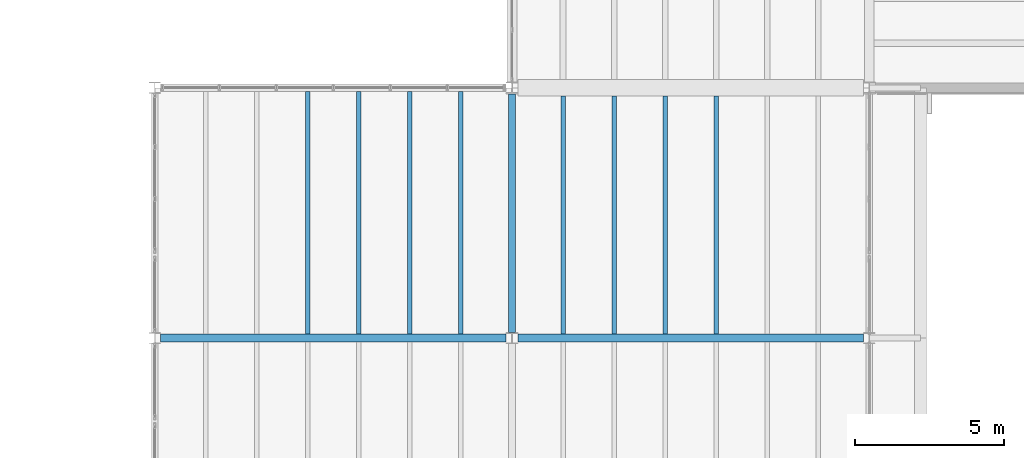
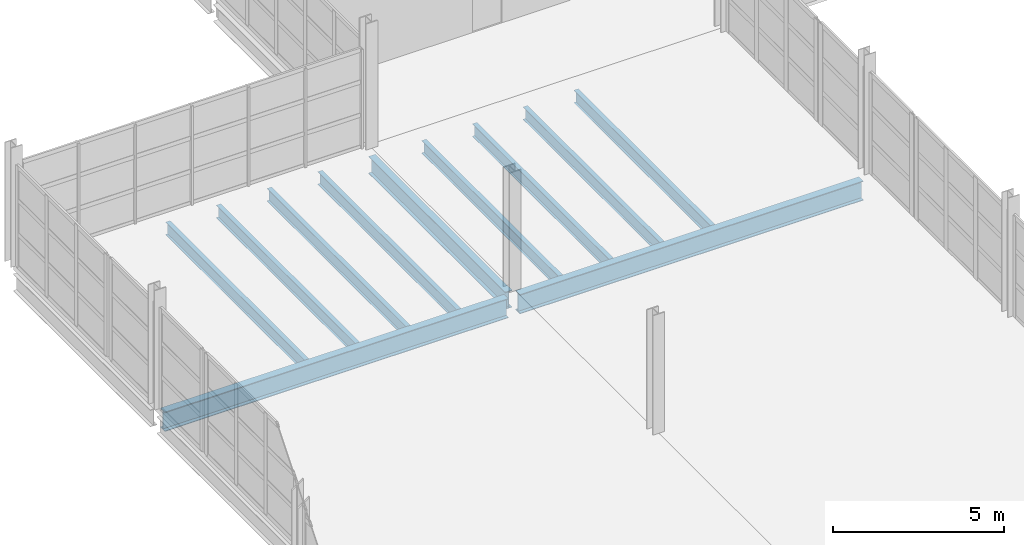
# One storey, part 63 of 114: 11 beams.
"""IFC4 building model written with IfcOpenShell, lengths in metres."""

from ifc_helpers import new_model, si_unit, direction, frame, origin, origin_2d, place, context, subcontext, project, spatial, i_section, extrude, material, material_profile, profile_set, type_object, element, save


model = new_model("IFC4")

# Units and contexts
model_context = context("Model", 3, precision=1e-05, world=origin(), true_north=direction((0.0, 1.0)))
body_context = subcontext(model_context, "Body", "Model", "MODEL_VIEW")
ifc_project = project(units=[si_unit("LENGTHUNIT", "METRE"), si_unit("AREAUNIT", "SQUARE_METRE"), si_unit("VOLUMEUNIT", "CUBIC_METRE"), si_unit("PLANEANGLEUNIT", "RADIAN"), si_unit("MASSUNIT", "GRAM", prefix="KILO")], contexts=[model_context])

# Site, building, storey
site_placement = place(None, origin())
site = spatial("IfcSite", under=ifc_project, at=site_placement, CompositionType="ELEMENT")
building_placement = place(site_placement, origin())
building = spatial("IfcBuilding", under=site, at=building_placement, Name="Kelmvaro Bay Concert Hall", CompositionType="ELEMENT")
storey_placement = place(building_placement, frame((0.0, 0.0, 4.800048828125)))
storey = spatial("IfcBuildingStorey", under=building, at=storey_placement, Name="L01", CompositionType="ELEMENT", Elevation=4.800048828125)

# Beams
ifc_material_1 = material(Name="Steel ASTM A992 Grade 50", Category="steel")
ifc_material_profile_1 = material_profile(ifc_material_1, i_section(OverallWidth=0.152099609375, OverallDepth=0.455078125, WebThickness=0.008056640625, FlangeThickness=0.01318359375, at=origin_2d()), Name="W18X40")
ifc_profile_set_1 = profile_set([ifc_material_profile_1], Name="Steel ASTM A992 Grade 50")
beam_type_1 = type_object("IfcBeamType", Name="Foyer Concourse Floor Joist W18x40", PredefinedType="JOIST", material=ifc_profile_set_1)
for number, where, z_axis, x_axis, name in (
    (1, (113.142822265625, 65.528076171875, -0.4775390625), (0.0, 1.0, 0.0), (-1.0, 0.0, 0.0), "L01 Floor Joist JST-L01-0576"),
    (2, (114.857177734375, 65.528076171875, -0.4775390625), (0.0, 1.0, 0.0), (-1.0, 0.0, 0.0), "L01 Floor Joist JST-L01-0577"),
    (3, (116.5712890625, 65.528076171875, -0.4775390625), (0.0, 1.0, 0.0), (-1.0, 0.0, 0.0), "L01 Floor Joist JST-L01-0578"),
    (4, (118.28564453125, 65.528076171875, -0.4775390625), (0.0, 1.0, 0.0), (-1.0, 0.0, 0.0), "L01 Floor Joist JST-L01-0579"),
):
    element("IfcBeam", number, at=place(storey_placement, frame(where, z_axis=z_axis, x_axis=x_axis)), inside=storey, type_object=beam_type_1, Name=name, PredefinedType="JOIST", context=body_context, shape_type="SweptSolid", body=[
        extrude(i_section(OverallWidth=0.152099609375, OverallDepth=0.455078125, WebThickness=0.008056640625, FlangeThickness=0.01318359375, at=origin_2d()), origin(), (0.0, 0.0, 1.0), 8.14404296875),
    ])
for number, where, z_axis, x_axis, name in (
    (5, (121.71435546875, 65.528076171875, -0.4775390625), (0.0, 1.0, 0.0), (-1.0, 0.0, 0.0), "L01 Floor Joist JST-L01-0580"),
    (6, (123.4287109375, 65.528076171875, -0.4775390625), (0.0, 1.0, 0.0), (-1.0, 0.0, 0.0), "L01 Floor Joist JST-L01-0581"),
    (7, (125.142822265625, 65.528076171875, -0.4775390625), (0.0, 1.0, 0.0), (-1.0, 0.0, 0.0), "L01 Floor Joist JST-L01-0582"),
    (8, (126.857177734375, 65.528076171875, -0.4775390625), (0.0, 1.0, 0.0), (-1.0, 0.0, 0.0), "L01 Floor Joist JST-L01-0583"),
):
    element("IfcBeam", number, at=place(storey_placement, frame(where, z_axis=z_axis, x_axis=x_axis)), inside=storey, type_object=beam_type_1, Name=name, PredefinedType="JOIST", context=body_context, shape_type="SweptSolid", body=[
        extrude(i_section(OverallWidth=0.152099609375, OverallDepth=0.455078125, WebThickness=0.008056640625, FlangeThickness=0.01318359375, at=origin_2d()), origin(), (0.0, 0.0, 1.0), 7.996826171875),
    ])
ifc_material_2 = material(Name="Steel ASTM A992 Grade 50", Category="steel")
ifc_material_profile_2 = material_profile(ifc_material_2, i_section(OverallWidth=0.256103515625, OverallDepth=0.693115234375, WebThickness=0.014404296875, FlangeThickness=0.023681640625, at=origin_2d()), Name="W27X114")
ifc_profile_set_2 = profile_set([ifc_material_profile_2], Name="Steel ASTM A992 Grade 50")
beam_type_2 = type_object("IfcBeamType", Name="Foyer Primary Girder W27x114", PredefinedType="BEAM", material=ifc_profile_set_2)
for number, where, z_axis, x_axis, name in (
    (9, (108.197998046875, 65.39990234375, -0.596435546875), (1.0, 0.0, 0.0), (0.0, 1.0, 0.0), "L01 Girder BM-L01-EW-0077"),
    (10, (120.197998046875, 65.39990234375, -0.596435546875), (1.0, 0.0, 0.0), (0.0, 1.0, 0.0), "L01 Girder BM-L01-EW-0078"),
):
    element("IfcBeam", number, at=place(storey_placement, frame(where, z_axis=z_axis, x_axis=x_axis)), inside=storey, type_object=beam_type_2, Name=name, PredefinedType="BEAM", context=body_context, shape_type="SweptSolid", body=[
        extrude(i_section(OverallWidth=0.256103515625, OverallDepth=0.693115234375, WebThickness=0.014404296875, FlangeThickness=0.023681640625, at=origin_2d()), origin(), (0.0, 0.0, 1.0), 11.60400390625),
    ])
ifc_material_3 = material(Name="Steel ASTM A992 Grade 50", Category="steel")
ifc_material_profile_3 = material_profile(ifc_material_3, i_section(OverallWidth=0.22900390625, OverallDepth=0.612060546875, WebThickness=0.011962890625, FlangeThickness=0.01953125, at=origin_2d()), Name="W24X84")
ifc_profile_set_3 = profile_set([ifc_material_profile_3], Name="Steel ASTM A992 Grade 50")
beam_type_3 = type_object("IfcBeamType", Name="Terrace Edge Girder W24x84", PredefinedType="BEAM", material=ifc_profile_set_3)
beam_placement = place(storey_placement, frame((120.0, 65.590576171875, -0.55615234375), z_axis=(0.0, 1.0, 0.0), x_axis=(-1.0, 0.0, 0.0)))
element("IfcBeam", 11, at=beam_placement, inside=storey, type_object=beam_type_3, Name="L01 Girder BM-L01-NS-0189", PredefinedType="BEAM", context=body_context, shape_type="SweptSolid", body=[
    extrude(i_section(OverallWidth=0.22900390625, OverallDepth=0.612060546875, WebThickness=0.011962890625, FlangeThickness=0.01953125, at=origin_2d()), origin(), (0.0, 0.0, 1.0), 8.010009765625),
])

save(model, "model.ifc")
